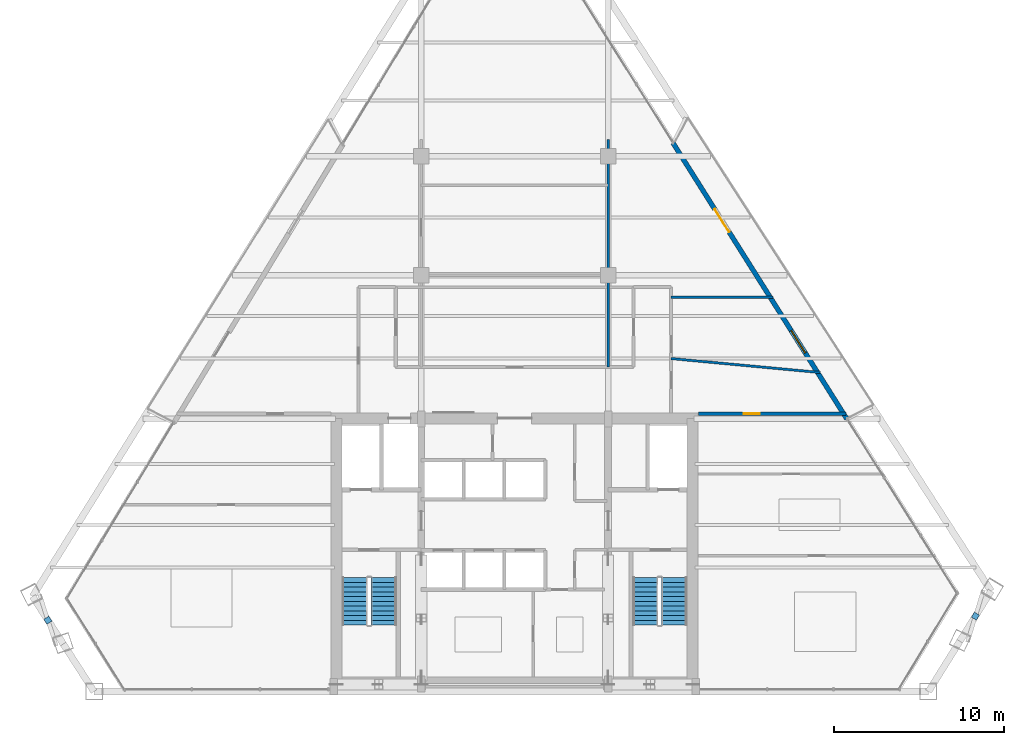
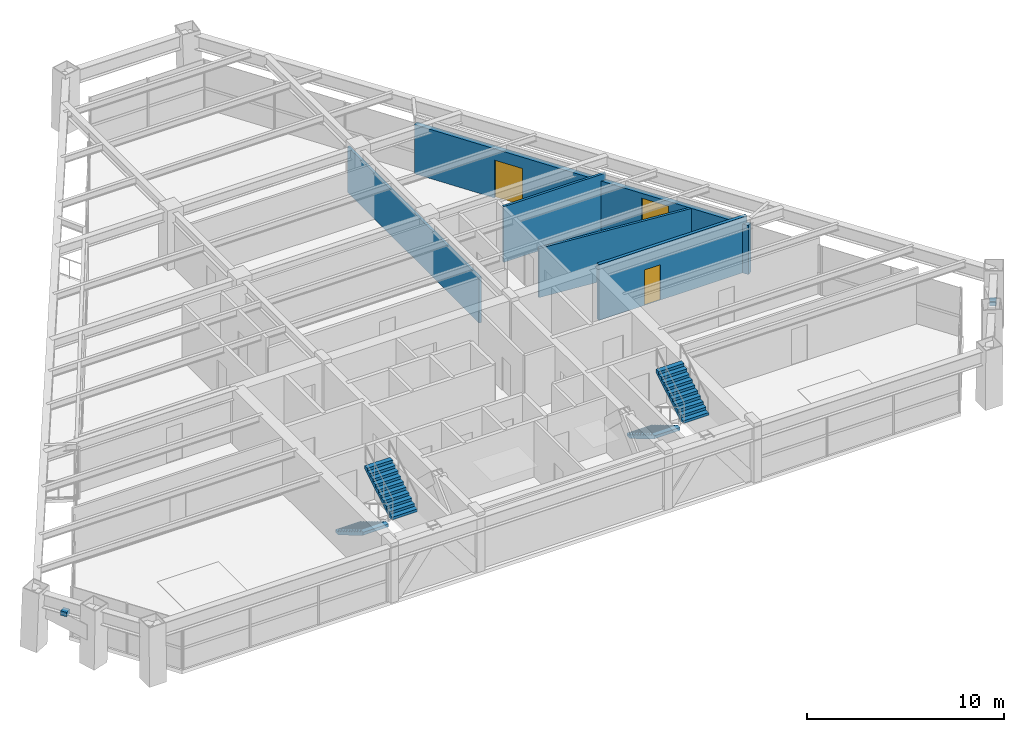
# One storey, part 10 of 12: 5 walls, 4 stair flights, 2 discrete accessories, 2 doors, 1 window, 3 openings, 2 elements without a shape of their own.
"""IFC4 building model written with IfcOpenShell, lengths in metres."""

from ifc_helpers import new_model, si_unit, direction, frame, frame_2d, origin, origin_2d, place, context, subcontext, project, spatial, polyline, rectangle, outline, extrude, source, transform, mapped, material, layer, layer_set, type_object, type_shapes, element, fill, aggregate, save


model = new_model("IFC4")

# Units and contexts
model_context = context("Model", 3, precision=1e-05, world=origin(), true_north=direction((0.0, 1.0)))
body_context = subcontext(model_context, "Body", "Model", "MODEL_VIEW")
ifc_project = project(units=[si_unit("LENGTHUNIT", "METRE"), si_unit("AREAUNIT", "SQUARE_METRE"), si_unit("VOLUMEUNIT", "CUBIC_METRE"), si_unit("PLANEANGLEUNIT", "RADIAN"), si_unit("MASSUNIT", "GRAM", prefix="KILO")], contexts=[model_context])

# Site, building, storey
site_placement = place(None, origin())
site = spatial("IfcSite", under=ifc_project, at=site_placement, CompositionType="ELEMENT")
building_placement = place(site_placement, origin())
building = spatial("IfcBuilding", under=site, at=building_placement, Name="Varnakhor Terracotta Tower", CompositionType="ELEMENT")
storey_placement = place(building_placement, frame((0.0, 0.0, 208.0)))
storey = spatial("IfcBuildingStorey", under=building, at=storey_placement, Name="L53", CompositionType="ELEMENT", Elevation=208.0)

# Wall, opening, door
ifc_material_1 = material(Name="Fire-Rated Gypsum Stud Partition", Category="gypsum")
ifc_layer_1 = layer(ifc_material_1, 0.18505859375, Name="Fire-Rated Gypsum Stud Partition")
ifc_layer_set_1 = layer_set([ifc_layer_1], Name="Fire-Rated Gypsum Stud Partition")
wall_type_1 = type_object("IfcWallType", Name="WAL-CORR-185", PredefinedType="PARTITIONING", material=ifc_layer_set_1)
wall_1_placement = place(storey_placement, frame((10.820068359375, 16.35009765625, 0.0), z_axis=(0.0, 0.0, 1.0), x_axis=(1.0, 0.0, 0.0)))
wall_1 = element("IfcWall", 1, at=wall_1_placement, inside=storey, type_object=wall_type_1, Name="L53 South East Entry Wall", PredefinedType="PARTITIONING", context=body_context, shape_type="SweptSolid", body=[
    extrude(rectangle(XDim=8.693115234375, YDim=0.18505859375, at=frame_2d((4.3466796875, 0.0))), origin(), (0.0, 0.0, 1.0), 3.4619140625),
])
opening_1_placement = place(wall_1_placement, frame((2.669677734375, 0.0, 0.0)))
opening_1 = element("IfcOpeningElement", 2, at=opening_1_placement, cuts=wall_1, Name="Opening DR-94", PredefinedType="OPENING", context=body_context, shape_type="SweptSolid", body=[
    extrude(rectangle(XDim=0.949951171875, YDim=2.199951171875, at=frame_2d((0.47509765625, 1.10009765625))), frame((0.0, 0.1025390625, 0.0), z_axis=(0.0, -1.0, 0.0), x_axis=(1.0, 0.0, 0.0)), (0.0, 0.0, 1.0), 0.205078125),
])
ifc_material_2 = material(Name="Acoustic Glazed-Vision Timber Office Door", Category="wood")
door_type_1 = type_object("IfcDoorType", Name="DR-OFF-950X2200", OperationType="NOTDEFINED", PredefinedType="DOOR", material=ifc_material_2)
shared_shape_1 = source(origin(), body_context, "Body", "SweptSolid", [
    extrude(rectangle(XDim=0.949951171875, YDim=2.199951171875, at=frame_2d((0.47509765625, 1.10009765625))), frame((0.0, 0.02490234375, 0.0), z_axis=(0.0, -1.0, 0.0), x_axis=(1.0, 0.0, 0.0)), (0.0, 0.0, 1.0), 0.050048828125),
])
type_shapes(door_type_1, [shared_shape_1])
door_1_placement = place(opening_1_placement, origin())
door_1 = element("IfcDoor", 3, at=door_1_placement, inside=storey, type_object=door_type_1, Name="L53 SE Suite Door", OperationType="SINGLE_SWING_LEFT", OverallHeight=2.199951171875, OverallWidth=0.949951171875, PredefinedType="DOOR", context=body_context, shape_type="MappedRepresentation", body=[
    mapped(shared_shape_1, transform((0.0, 0.0, 0.0), scale=1.0)),
])
fill(opening_1, door_1)

# Wall, openings, door, window
ifc_material_3 = material(Name="Extruded Architectural Terracotta Assembly", Category="masonry")
ifc_layer_2 = layer(ifc_material_3, 0.280029296875, Name="Extruded Architectural Terracotta Assembly")
ifc_layer_set_2 = layer_set([ifc_layer_2], Name="Extruded Architectural Terracotta Assembly")
wall_type_2 = type_object("IfcWallType", Name="WAL-EXT-TERRACOTTA-280", PredefinedType="SOLIDWALL", material=ifc_layer_set_2)
wall_2_placement = place(storey_placement, frame((9.31787109375, 32.29150390625, 0.0), z_axis=(0.0, 0.0, 1.0), x_axis=(0.532974477416, -0.846131317482, 0.0)))
wall_2 = element("IfcWall", 4, at=wall_2_placement, inside=storey, type_object=wall_type_2, Name="L53 E Loggia Insulated Terracotta Wall", PredefinedType="SOLIDWALL", context=body_context, shape_type="SweptSolid", body=[
    extrude(rectangle(XDim=19.19873046875, YDim=0.280029296875, at=frame_2d((9.599365234375, 0.0))), origin(), (0.0, 0.0, 1.0), 3.050048828125),
])
opening_2_placement = place(wall_2_placement, frame((4.607666015625, 0.0, 0.0)))
opening_2 = element("IfcOpeningElement", 5, at=opening_2_placement, cuts=wall_2, Name="Opening DR-62", PredefinedType="OPENING", context=body_context, shape_type="SweptSolid", body=[
    extrude(rectangle(XDim=1.60009765625, YDim=2.35009765625, at=frame_2d((0.800048828125, 1.175048828125))), frame((0.0, 0.14990234375, 0.0), z_axis=(0.0, -1.0, 0.0), x_axis=(1.0, 0.0, 0.0)), (0.0, 0.0, 1.0), 0.300048828125),
])
opening_3_placement = place(wall_2_placement, frame((13.05517578125, 0.0, 0.89990234375)))
opening_3 = element("IfcOpeningElement", 6, at=opening_3_placement, cuts=wall_2, Name="Opening WN-57", PredefinedType="OPENING", context=body_context, shape_type="SweptSolid", body=[
    extrude(rectangle(XDim=1.550048828125, YDim=1.85009765625, at=frame_2d((0.77490234375, 0.925048828125))), frame((0.0, 0.14990234375, 0.0), z_axis=(0.0, -1.0, 0.0), x_axis=(1.0, 0.0, 0.0)), (0.0, 0.0, 1.0), 0.300048828125),
])
ifc_material_4 = material(Name="Thermally Broken Sliding Glass Loggia Door", Category="glass")
door_type_2 = type_object("IfcDoorType", Name="DR-EXT-LOGGIA-1600X2350", OperationType="NOTDEFINED", PredefinedType="DOOR", material=ifc_material_4)
shared_shape_2 = source(origin(), body_context, "Body", "SweptSolid", [
    extrude(rectangle(XDim=1.60009765625, YDim=2.35009765625, at=frame_2d((0.800048828125, 1.175048828125))), frame((0.0, 0.02490234375, 0.0), z_axis=(0.0, -1.0, 0.0), x_axis=(1.0, 0.0, 0.0)), (0.0, 0.0, 1.0), 0.050048828125),
])
type_shapes(door_type_2, [shared_shape_2])
door_2_placement = place(opening_2_placement, origin())
door_2 = element("IfcDoor", 7, at=door_2_placement, inside=storey, type_object=door_type_2, Name="L53 E Recessed Loggia Sliding Door", OperationType="SLIDING_TO_RIGHT", OverallHeight=2.35009765625, OverallWidth=1.60009765625, PredefinedType="DOOR", context=body_context, shape_type="MappedRepresentation", body=[
    mapped(shared_shape_2, transform((0.0, 0.0, 0.0), scale=1.0)),
])
fill(opening_2, door_2)
ifc_material_5 = material(Name="Solar-Control Low-E Insulated Glass Unit", Category="glass")
window_type = type_object("IfcWindowType", Name="WIN-OFF-1650X2100", PartitioningType="SINGLE_PANEL", PredefinedType="WINDOW", material=ifc_material_5)
shared_shape_3 = source(origin(), body_context, "Body", "SweptSolid", [
    extrude(rectangle(XDim=1.550048828125, YDim=1.85009765625, at=frame_2d((0.77490234375, 0.925048828125))), frame((0.0, 0.030029296875, 0.0), z_axis=(0.0, -1.0, 0.0), x_axis=(1.0, 0.0, 0.0)), (0.0, 0.0, 1.0), 0.06005859375),
])
type_shapes(window_type, [shared_shape_3])
window_placement = place(opening_3_placement, origin())
window = element("IfcWindow", 8, at=window_placement, inside=storey, type_object=window_type, Name="L53 E Facet Punched Window", OverallHeight=1.85009765625, OverallWidth=1.550048828125, PartitioningType="SINGLE_PANEL", PredefinedType="WINDOW", context=body_context, shape_type="MappedRepresentation", body=[
    mapped(shared_shape_3, transform((0.0, 0.0, 0.0), scale=1.0)),
])
fill(opening_3, window)

# Walls
ifc_material_6 = material(Name="Acoustic Metal-Stud Partition", Category="gypsum")
ifc_layer_3 = layer(ifc_material_6, 0.139892578125, Name="Acoustic Metal-Stud Partition")
ifc_layer_set_3 = layer_set([ifc_layer_3], Name="Acoustic Metal-Stud Partition")
wall_type_3 = type_object("IfcWallType", Name="WAL-PART-140", PredefinedType="PARTITIONING", material=ifc_layer_set_3)
wall_3_placement = place(storey_placement, frame((5.5, 19.10009765625, 0.0), z_axis=(0.0, 0.0, 1.0), x_axis=(0.0, 1.0, 0.0)))
element("IfcWall", 9, at=wall_3_placement, inside=storey, type_object=wall_type_3, Name="L53 Center East Column Wall", PredefinedType="PARTITIONING", context=body_context, shape_type="SweptSolid", body=[
    extrude(rectangle(XDim=13.39990234375, YDim=0.139892578125, at=frame_2d((6.699951171875, 0.0))), origin(), (0.0, 0.0, 1.0), 2.845947265625),
])
wall_4_placement = place(storey_placement, frame((9.199951171875, 19.60009765625, 0.0), z_axis=(0.0, 0.0, 1.0), x_axis=(0.995630126913, -0.093384422598, 0.0)))
element("IfcWall", 10, at=wall_4_placement, inside=storey, type_object=wall_type_3, Name="L53 East Wing Cut 3", PredefinedType="PARTITIONING", context=body_context, shape_type="SweptSolid", body=[
    extrude(rectangle(XDim=8.823486328125, YDim=0.139892578125, at=frame_2d((4.41162109375, 0.0))), origin(), (0.0, 0.0, 1.0), 3.049072265625),
])
wall_5_placement = place(storey_placement, frame((9.199951171875, 23.199951171875, 0.0), z_axis=(0.0, 0.0, 1.0), x_axis=(1.0, 0.0, 0.0)))
element("IfcWall", 11, at=wall_5_placement, inside=storey, type_object=wall_type_3, Name="L53 East Wing Cut 4", PredefinedType="PARTITIONING", context=body_context, shape_type="SweptSolid", body=[
    extrude(rectangle(XDim=5.998291015625, YDim=0.139892578125, at=frame_2d((2.9990234375, 0.0))), origin(), (0.0, 0.0, 1.0), 3.4619140625),
])

# Stair, stair flights
ifc_material_7 = material(Name="Concrete C40/50", Category="concrete")
stair_type = type_object("IfcStairType", Name="STR-CORE-OFFICE-1500", PredefinedType="HALF_TURN_STAIR", material=ifc_material_7)
stair_1_placement = place(storey_placement, origin())
stair_1 = element("IfcStair", 12, at=stair_1_placement, inside=storey, type_object=stair_type, Name="L53 Core Exit Stair ST-1", PredefinedType="HALF_TURN_STAIR")
stair_flight_type = type_object("IfcStairFlightType", Name="FLT-CORE-1500", PredefinedType="STRAIGHT", material=ifc_material_7)
stair_flight_1_placement = place(storey_placement, frame((-9.39990234375, 6.7099609375, 0.0), z_axis=(0.0, 0.0, 1.0), x_axis=(0.0, -1.0, 0.0)))
stair_flight_1 = element("IfcStairFlight", 13, at=stair_flight_1_placement, type_object=stair_flight_type, Name="ST-1 flight 1", NumberOfRisers=11, NumberOfTreads=10, PredefinedType="STRAIGHT", RiserHeight=0.168181818, TreadLength=0.28, context=body_context, shape_type="SweptSolid", body=[
    extrude(outline(polyline([(0.0, 0.0), (0.0, 0.168212890625), (0.280029296875, 0.168212890625), (0.280029296875, 0.33642578125), (0.56005859375, 0.33642578125), (0.56005859375, 0.504638671875), (0.840087890625, 0.504638671875), (0.840087890625, 0.672607421875), (1.1201171875, 0.672607421875), (1.1201171875, 0.8408203125), (1.39990234375, 0.8408203125), (1.39990234375, 1.009033203125), (1.679931640625, 1.009033203125), (1.679931640625, 1.17724609375), (1.9599609375, 1.17724609375), (1.9599609375, 1.345458984375), (2.239990234375, 1.345458984375), (2.239990234375, 1.513671875), (2.52001953125, 1.513671875), (2.52001953125, 1.681884765625), (2.800048828125, 1.681884765625), (2.800048828125, 1.85009765625), (2.800048828125, 1.495361328125), (0.310546875, 0.0), (0.0, 0.0)])), frame((0.0, 0.75, 0.0), z_axis=(0.0, -1.0, 0.0), x_axis=(1.0, 0.0, 0.0)), (0.0, 0.0, 1.0), 1.5),
])
stair_flight_2_placement = place(storey_placement, frame((-7.699951171875, 3.909912109375, 1.85009765625), z_axis=(0.0, 0.0, 1.0), x_axis=(0.0, 1.0, 0.0)))
stair_flight_2 = element("IfcStairFlight", 14, at=stair_flight_2_placement, type_object=stair_flight_type, Name="ST-1 flight 2", NumberOfRisers=11, NumberOfTreads=10, PredefinedType="STRAIGHT", RiserHeight=0.168181818, TreadLength=0.28, context=body_context, shape_type="SweptSolid", body=[
    extrude(outline(polyline([(0.0, 0.0), (0.0, 0.168212890625), (0.280029296875, 0.168212890625), (0.280029296875, 0.33642578125), (0.56005859375, 0.33642578125), (0.56005859375, 0.504638671875), (0.840087890625, 0.504638671875), (0.840087890625, 0.672607421875), (1.1201171875, 0.672607421875), (1.1201171875, 0.8408203125), (1.39990234375, 0.8408203125), (1.39990234375, 1.009033203125), (1.679931640625, 1.009033203125), (1.679931640625, 1.17724609375), (1.9599609375, 1.17724609375), (1.9599609375, 1.345458984375), (2.239990234375, 1.345458984375), (2.239990234375, 1.513671875), (2.52001953125, 1.513671875), (2.52001953125, 1.681884765625), (2.800048828125, 1.681884765625), (2.800048828125, 1.85009765625), (2.800048828125, 1.495361328125), (0.310546875, 0.0), (0.0, 0.0)])), frame((0.0, 0.75, 0.0), z_axis=(0.0, -1.0, 0.0), x_axis=(1.0, 0.0, 0.0)), (0.0, 0.0, 1.0), 1.5),
])
aggregate(stair_1, [stair_flight_1, stair_flight_2])

stair_2_placement = place(storey_placement, origin())
stair_2 = element("IfcStair", 15, at=stair_2_placement, inside=storey, type_object=stair_type, Name="L53 Core Exit Stair ST-2", PredefinedType="HALF_TURN_STAIR")
stair_flight_3_placement = place(storey_placement, frame((7.699951171875, 6.7099609375, 0.0), z_axis=(0.0, 0.0, 1.0), x_axis=(0.0, -1.0, 0.0)))
stair_flight_3 = element("IfcStairFlight", 16, at=stair_flight_3_placement, type_object=stair_flight_type, Name="ST-2 flight 1", NumberOfRisers=11, NumberOfTreads=10, PredefinedType="STRAIGHT", RiserHeight=0.168181818, TreadLength=0.28, context=body_context, shape_type="SweptSolid", body=[
    extrude(outline(polyline([(0.0, 0.0), (0.0, 0.168212890625), (0.280029296875, 0.168212890625), (0.280029296875, 0.33642578125), (0.56005859375, 0.33642578125), (0.56005859375, 0.504638671875), (0.840087890625, 0.504638671875), (0.840087890625, 0.672607421875), (1.1201171875, 0.672607421875), (1.1201171875, 0.8408203125), (1.39990234375, 0.8408203125), (1.39990234375, 1.009033203125), (1.679931640625, 1.009033203125), (1.679931640625, 1.17724609375), (1.9599609375, 1.17724609375), (1.9599609375, 1.345458984375), (2.239990234375, 1.345458984375), (2.239990234375, 1.513671875), (2.52001953125, 1.513671875), (2.52001953125, 1.681884765625), (2.800048828125, 1.681884765625), (2.800048828125, 1.85009765625), (2.800048828125, 1.495361328125), (0.310546875, 0.0), (0.0, 0.0)])), frame((0.0, 0.75, 0.0), z_axis=(0.0, -1.0, 0.0), x_axis=(1.0, 0.0, 0.0)), (0.0, 0.0, 1.0), 1.5),
])
stair_flight_4_placement = place(storey_placement, frame((9.39990234375, 3.909912109375, 1.85009765625), z_axis=(0.0, 0.0, 1.0), x_axis=(0.0, 1.0, 0.0)))
stair_flight_4 = element("IfcStairFlight", 17, at=stair_flight_4_placement, type_object=stair_flight_type, Name="ST-2 flight 2", NumberOfRisers=11, NumberOfTreads=10, PredefinedType="STRAIGHT", RiserHeight=0.168181818, TreadLength=0.28, context=body_context, shape_type="SweptSolid", body=[
    extrude(outline(polyline([(0.0, 0.0), (0.0, 0.168212890625), (0.280029296875, 0.168212890625), (0.280029296875, 0.33642578125), (0.56005859375, 0.33642578125), (0.56005859375, 0.504638671875), (0.840087890625, 0.504638671875), (0.840087890625, 0.672607421875), (1.1201171875, 0.672607421875), (1.1201171875, 0.8408203125), (1.39990234375, 0.8408203125), (1.39990234375, 1.009033203125), (1.679931640625, 1.009033203125), (1.679931640625, 1.17724609375), (1.9599609375, 1.17724609375), (1.9599609375, 1.345458984375), (2.239990234375, 1.345458984375), (2.239990234375, 1.513671875), (2.52001953125, 1.513671875), (2.52001953125, 1.681884765625), (2.800048828125, 1.681884765625), (2.800048828125, 1.85009765625), (2.800048828125, 1.495361328125), (0.310546875, 0.0), (0.0, 0.0)])), frame((0.0, 0.75, 0.0), z_axis=(0.0, -1.0, 0.0), x_axis=(1.0, 0.0, 0.0)), (0.0, 0.0, 1.0), 1.5),
])
aggregate(stair_2, [stair_flight_3, stair_flight_4])

# Discrete accessories
ifc_material_8 = material(Name="Stainless Steel Fixing Bracket", Category="steel")
discrete_accessory_type = type_object("IfcDiscreteAccessoryType", Name="BRACKET-TERRACOTTA-SCREEN", PredefinedType="BRACKET", material=ifc_material_8)
shared_shape_4 = source(origin(), body_context, "Body", "SweptSolid", [
    extrude(rectangle(XDim=0.35009765625, YDim=0.35009765625, at=origin_2d()), origin(), (0.0, 0.0, 1.0), 0.280029296875),
])
type_shapes(discrete_accessory_type, [shared_shape_4])
for number, where, z_axis, x_axis, name in (
    (18, (27.120361328125, 4.43701171875, 2.48486328125), (0.0, 0.0, 1.0), (0.528556868381, 0.848897895443, 0.0), "L53 E Screen Fixing Bracket"),
    (19, (-27.472900390625, 4.197509765625, 2.48486328125), (0.0, 0.0, 1.0), (0.542426874182, -0.840103021162, 0.0), "L53 W Screen Fixing Bracket"),
):
    element("IfcDiscreteAccessory", number, at=place(storey_placement, frame(where, z_axis=z_axis, x_axis=x_axis)), inside=storey, type_object=discrete_accessory_type, Name=name, PredefinedType="BRACKET", context=body_context, shape_type="MappedRepresentation", body=[
        mapped(shared_shape_4, transform((0.0, 0.0, 0.0), scale=1.0)),
    ])

save(model, "model.ifc")
